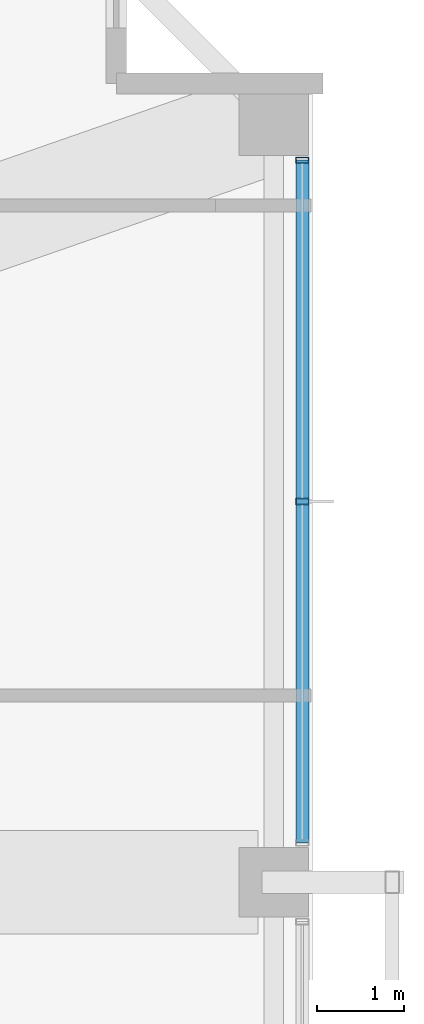
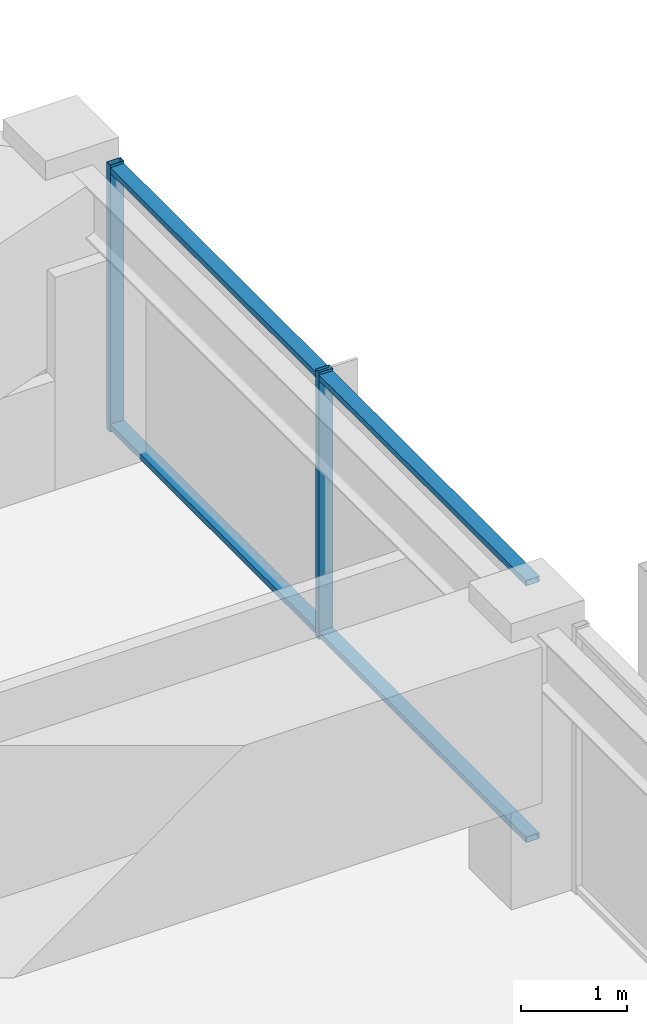
# One storey, part 23 of 37: 4 members, 1 element without a shape of its own.
"""IFC4 building model written with IfcOpenShell, lengths in metres."""

from ifc_helpers import new_model, si_unit, direction, frame, origin, origin_2d, place, context, subcontext, project, spatial, hollow_rectangle, extrude, material, material_profile, profile_set, type_object, element, aggregate, save


model = new_model("IFC4")

# Units and contexts
model_context = context("Model", 3, precision=1e-05, world=origin(), true_north=direction((0.0, 1.0)))
body_context = subcontext(model_context, "Body", "Model", "MODEL_VIEW")
ifc_project = project(units=[si_unit("LENGTHUNIT", "METRE"), si_unit("AREAUNIT", "SQUARE_METRE"), si_unit("VOLUMEUNIT", "CUBIC_METRE"), si_unit("PLANEANGLEUNIT", "RADIAN"), si_unit("MASSUNIT", "GRAM", prefix="KILO")], contexts=[model_context])

# Site, building, storey
site_placement = place(None, origin())
site = spatial("IfcSite", under=ifc_project, at=site_placement, CompositionType="ELEMENT")
building_placement = place(site_placement, origin())
building = spatial("IfcBuilding", under=site, at=building_placement, Name="Kolvaren Belvedere", CompositionType="ELEMENT")
storey_placement = place(building_placement, frame((0.0, 0.0, 219.60009765625)))
storey = spatial("IfcBuildingStorey", under=building, at=storey_placement, Name="L64", CompositionType="ELEMENT", Elevation=219.60009765625)

# Curtain wall, members
ifc_material_1 = material(Name="Anodised pale-metal aluminium AA 6063-T6", Category="aluminium")
curtain_wall_type = type_object("IfcCurtainWallType", Name="CW-Z5-HIGH", PredefinedType="NOTDEFINED", material=ifc_material_1)
curtain_wall_placement = place(storey_placement, origin())
curtain_wall = element("IfcCurtainWall", 1, at=curtain_wall_placement, inside=storey, type_object=curtain_wall_type, Name="L64 Unitised Curtain Wall FCW-L64-E-B1", PredefinedType="NOTDEFINED")
ifc_material_2 = material(Name="Anodised pale-metal aluminium AA 6063-T6", Category="aluminium")
ifc_material_profile_1 = material_profile(ifc_material_2, hollow_rectangle(XDim=0.070068359375, YDim=0.14990234375, WallThickness=0.004150390625, at=origin_2d()), Name="ALU-MUL-150X70")
ifc_profile_set_1 = profile_set([ifc_material_profile_1], Name="Anodised pale-metal aluminium AA 6063-T6")
member_type_1 = type_object("IfcMemberType", Name="CW-MUL-150", PredefinedType="MULLION", material=ifc_profile_set_1)
member_1_placement = place(storey_placement, frame((20.280029296875, 12.945068359375, 0.0), z_axis=(0.0, 0.0, 1.0), x_axis=(0.0, 1.0, 0.0)))
member_1 = element("IfcMember", 2, at=member_1_placement, type_object=member_type_1, Name="FCW-L64-E-B1 Unitised Mullion 1", PredefinedType="MULLION", context=body_context, shape_type="SweptSolid", body=[
    extrude(hollow_rectangle(XDim=0.070068359375, YDim=0.14990234375, WallThickness=0.004150390625, at=origin_2d()), origin(), (0.0, 0.0, 1.0), 3.079833984375),
])
member_2_placement = place(storey_placement, frame((20.280029296875, 9.0, 0.0), z_axis=(0.0, 0.0, 1.0), x_axis=(0.0, 1.0, 0.0)))
member_2 = element("IfcMember", 3, at=member_2_placement, type_object=member_type_1, Name="FCW-L64-E-B1 Unitised Mullion 2", PredefinedType="MULLION", context=body_context, shape_type="SweptSolid", body=[
    extrude(hollow_rectangle(XDim=0.070068359375, YDim=0.14990234375, WallThickness=0.004150390625, at=origin_2d()), origin(), (0.0, 0.0, 1.0), 3.079833984375),
])
ifc_material_3 = material(Name="Anodised pale-metal aluminium AA 6063-T6", Category="aluminium")
ifc_material_profile_2 = material_profile(ifc_material_3, hollow_rectangle(XDim=0.06494140625, YDim=0.14990234375, WallThickness=0.00390625, at=origin_2d()), Name="ALU-TRN-150X65")
ifc_profile_set_2 = profile_set([ifc_material_profile_2], Name="Anodised pale-metal aluminium AA 6063-T6")
member_type_2 = type_object("IfcMemberType", Name="CW-TRN-150", PredefinedType="USERDEFINED", material=ifc_profile_set_2)
member_3_placement = place(storey_placement, frame((20.280029296875, 12.945068359375, 0.059814453125), z_axis=(0.0, -1.0, 0.0), x_axis=(0.0, 0.0, 1.0)))
member_3 = element("IfcMember", 4, at=member_3_placement, type_object=member_type_2, Name="FCW-L64-E-B1 Sill Transom", ObjectType="TRANSOM", PredefinedType="USERDEFINED", context=body_context, shape_type="SweptSolid", body=[
    extrude(hollow_rectangle(XDim=0.06494140625, YDim=0.14990234375, WallThickness=0.00390625, at=origin_2d()), origin(), (0.0, 0.0, 1.0), 7.89013671875),
])
member_4_placement = place(storey_placement, frame((20.280029296875, 12.945068359375, 3.02001953125), z_axis=(0.0, -1.0, 0.0), x_axis=(0.0, 0.0, 1.0)))
member_4 = element("IfcMember", 5, at=member_4_placement, type_object=member_type_2, Name="FCW-L64-E-B1 Head Transom", ObjectType="TRANSOM", PredefinedType="USERDEFINED", context=body_context, shape_type="SweptSolid", body=[
    extrude(hollow_rectangle(XDim=0.06494140625, YDim=0.14990234375, WallThickness=0.00390625, at=origin_2d()), origin(), (0.0, 0.0, 1.0), 7.89013671875),
])
aggregate(curtain_wall, [member_1, member_2, member_3, member_4])

save(model, "model.ifc")
